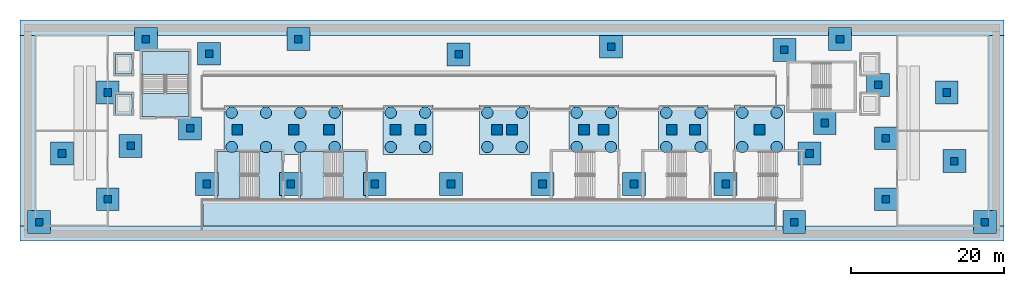
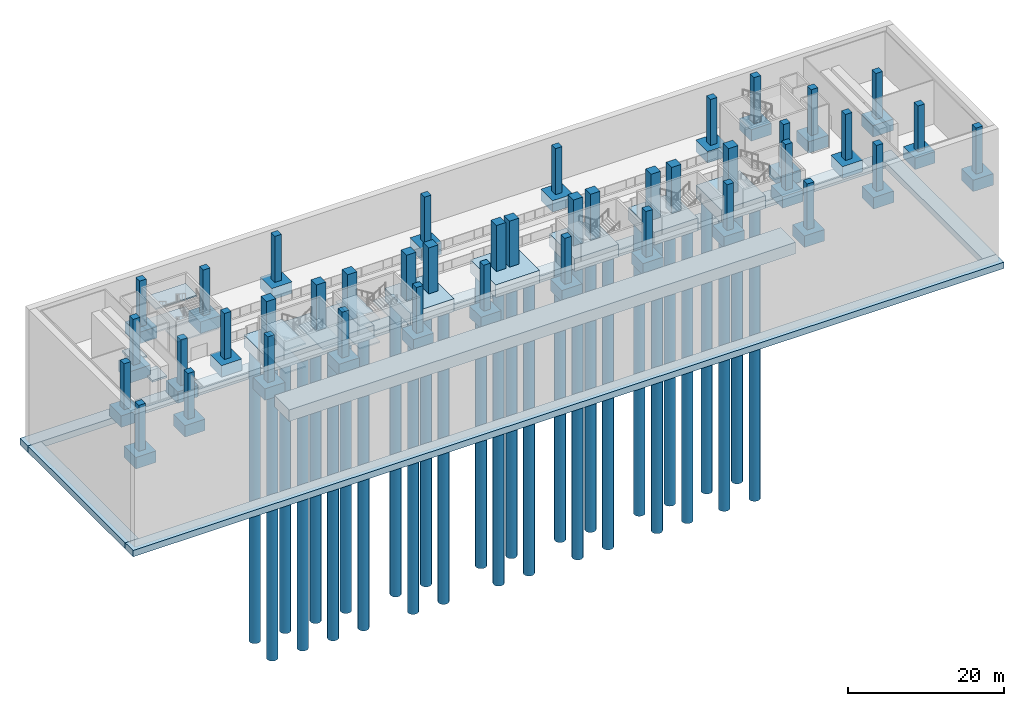
# One storey, part 1 of 15: 41 columns, 39 footings, 28 piles, 12 slabs, 3 elements without a shape of their own.
"""IFC4 building model written with IfcOpenShell, lengths in metres."""

from ifc_helpers import new_model, si_unit, direction, frame, origin, origin_2d, place, context, subcontext, project, spatial, polyline, rectangle, circle, outline, extrude, material, layer, layer_set, material_profile, profile_set, type_object, element, aggregate, save


model = new_model("IFC4")

# Units and contexts
model_context = context("Model", 3, precision=1e-05, world=origin(), true_north=direction((0.0, 1.0)))
body_context = subcontext(model_context, "Body", "Model", "MODEL_VIEW")
ifc_project = project(units=[si_unit("LENGTHUNIT", "METRE"), si_unit("AREAUNIT", "SQUARE_METRE"), si_unit("VOLUMEUNIT", "CUBIC_METRE"), si_unit("PLANEANGLEUNIT", "RADIAN"), si_unit("MASSUNIT", "GRAM", prefix="KILO")], contexts=[model_context])

# Site, building, storey
site_placement = place(None, origin())
site = spatial("IfcSite", under=ifc_project, at=site_placement, CompositionType="ELEMENT")
building_placement = place(site_placement, origin())
building = spatial("IfcBuilding", under=site, at=building_placement, Name="Wharfspan Tower", CompositionType="ELEMENT")
storey_placement = place(building_placement, frame((0.0, 0.0, -14.399902)))
storey = spatial("IfcBuildingStorey", under=building, at=storey_placement, Name="B2", CompositionType="ELEMENT", Elevation=-14.399902)

# Piles
ifc_material_1 = material(Name="Concrete C35/45", Category="concrete")
ifc_material_profile_1 = material_profile(ifc_material_1, circle(Radius=0.75, at=origin_2d()))
ifc_profile_set_1 = profile_set([ifc_material_profile_1], Name="Concrete C35/45")
pile_type = type_object("IfcPileType", Name="Bored pile D1500", PredefinedType="BORED", material=ifc_profile_set_1)
for number, where, z_axis, x_axis, name in (
    (1, (11.25, -24.149902, -1.925049), (0.0, 0.0, -1.0), (1.0, 0.0, 0.0), "Bored pile F02-01"),
    (2, (15.75, -24.149902, -1.925049), (0.0, 0.0, -1.0), (1.0, 0.0, 0.0), "Bored pile F02-02"),
    (3, (20.25, -24.149902, -1.925049), (0.0, 0.0, -1.0), (1.0, 0.0, 0.0), "Bored pile F02-03"),
    (4, (24.75, -24.149902, -1.925049), (0.0, 0.0, -1.0), (1.0, 0.0, 0.0), "Bored pile F02-04"),
    (5, (11.25, -19.649902, -1.925049), (0.0, 0.0, -1.0), (1.0, 0.0, 0.0), "Bored pile F02-05"),
    (6, (15.75, -19.649902, -1.925049), (0.0, 0.0, -1.0), (1.0, 0.0, 0.0), "Bored pile F02-06"),
    (7, (20.25, -19.649902, -1.925049), (0.0, 0.0, -1.0), (1.0, 0.0, 0.0), "Bored pile F02-07"),
    (8, (24.75, -19.649902, -1.925049), (0.0, 0.0, -1.0), (1.0, 0.0, 0.0), "Bored pile F02-08"),
    (9, (32.112061, -24.149902, -1.925049), (0.0, 0.0, -1.0), (1.0, 0.0, 0.0), "Bored pile F03-01"),
    (10, (36.612061, -24.149902, -1.925049), (0.0, 0.0, -1.0), (1.0, 0.0, 0.0), "Bored pile F03-02"),
    (11, (32.112061, -19.649902, -1.925049), (0.0, 0.0, -1.0), (1.0, 0.0, 0.0), "Bored pile F03-03"),
    (12, (36.612061, -19.649902, -1.925049), (0.0, 0.0, -1.0), (1.0, 0.0, 0.0), "Bored pile F03-04"),
    (13, (44.770996, -24.149902, -1.925049), (0.0, 0.0, -1.0), (1.0, 0.0, 0.0), "Bored pile F04-01"),
    (14, (49.270996, -24.149902, -1.925049), (0.0, 0.0, -1.0), (1.0, 0.0, 0.0), "Bored pile F04-02"),
    (15, (44.770996, -19.649902, -1.925049), (0.0, 0.0, -1.0), (1.0, 0.0, 0.0), "Bored pile F04-03"),
    (16, (49.270996, -19.649902, -1.925049), (0.0, 0.0, -1.0), (1.0, 0.0, 0.0), "Bored pile F04-04"),
    (17, (56.470947, -24.149902, -1.925049), (0.0, 0.0, -1.0), (1.0, 0.0, 0.0), "Bored pile F05-01"),
    (18, (60.970947, -24.149902, -1.925049), (0.0, 0.0, -1.0), (1.0, 0.0, 0.0), "Bored pile F05-02"),
    (19, (56.470947, -19.649902, -1.925049), (0.0, 0.0, -1.0), (1.0, 0.0, 0.0), "Bored pile F05-03"),
    (20, (60.970947, -19.649902, -1.925049), (0.0, 0.0, -1.0), (1.0, 0.0, 0.0), "Bored pile F05-04"),
    (21, (68.220947, -24.149902, -1.925049), (0.0, 0.0, -1.0), (1.0, 0.0, 0.0), "Bored pile F06-01"),
    (22, (72.720947, -24.149902, -1.925049), (0.0, 0.0, -1.0), (1.0, 0.0, 0.0), "Bored pile F06-02"),
    (23, (68.220947, -19.649902, -1.925049), (0.0, 0.0, -1.0), (1.0, 0.0, 0.0), "Bored pile F06-03"),
    (24, (72.720947, -19.649902, -1.925049), (0.0, 0.0, -1.0), (1.0, 0.0, 0.0), "Bored pile F06-04"),
    (25, (78.191895, -24.149902, -1.925049), (0.0, 0.0, -1.0), (1.0, 0.0, 0.0), "Bored pile F07-01"),
    (26, (82.691895, -24.149902, -1.925049), (0.0, 0.0, -1.0), (1.0, 0.0, 0.0), "Bored pile F07-02"),
    (27, (78.191895, -19.649902, -1.925049), (0.0, 0.0, -1.0), (1.0, 0.0, 0.0), "Bored pile F07-03"),
    (28, (82.691895, -19.649902, -1.925049), (0.0, 0.0, -1.0), (1.0, 0.0, 0.0), "Bored pile F07-04"),
):
    element("IfcPile", number, at=place(storey_placement, frame(where, z_axis=z_axis, x_axis=x_axis)), inside=storey, type_object=pile_type, Name=name, PredefinedType="BORED", context=body_context, shape_type="SweptSolid", body=[
        extrude(circle(Radius=0.75, at=origin_2d()), origin(), (0.0, 0.0, 1.0), 45.675049),
    ])

# Footings
footing_type_1 = type_object("IfcFootingType", Name="Pad footing 3000 square, 1800 deep", PredefinedType="PAD_FOOTING", material=ifc_material_1)
footing_1_placement = place(storey_placement, frame((0.0, 0.0, -1.800049)))
element("IfcFooting", 29, at=footing_1_placement, inside=storey, type_object=footing_type_1, Name="Pad footing P.B.12", PredefinedType="PAD_FOOTING", context=body_context, shape_type="SweptSolid", body=[
    extrude(outline(polyline([(-15.5, -35.5), (-12.5, -35.5), (-12.5, -32.5), (-15.5, -32.5), (-15.5, -35.5)])), origin(), (0.0, 0.0, 1.0), 1.800049),
])
footing_2_placement = place(storey_placement, frame((0.0, 0.0, -1.800049)))
element("IfcFooting", 30, at=footing_2_placement, inside=storey, type_object=footing_type_1, Name="Pad footing P.B.22", PredefinedType="PAD_FOOTING", context=body_context, shape_type="SweptSolid", body=[
    extrude(outline(polyline([(83.5, -35.5), (86.5, -35.5), (86.5, -32.5), (83.5, -32.5), (83.5, -35.5)])), origin(), (0.0, 0.0, 1.0), 1.800049),
])
footing_3_placement = place(storey_placement, frame((0.0, 0.0, -1.800049)))
element("IfcFooting", 31, at=footing_3_placement, inside=storey, type_object=footing_type_1, Name="Pad footing P.B.19", PredefinedType="PAD_FOOTING", context=body_context, shape_type="SweptSolid", body=[
    extrude(outline(polyline([(108.5, -35.5), (111.5, -35.5), (111.5, -32.5), (108.5, -32.5), (108.5, -35.5)])), origin(), (0.0, 0.0, 1.0), 1.800049),
])
footing_4_placement = place(storey_placement, frame((0.0, 0.0, -1.800049)))
element("IfcFooting", 32, at=footing_4_placement, inside=storey, type_object=footing_type_1, Name="Pad footing P.D.19", PredefinedType="PAD_FOOTING", context=body_context, shape_type="SweptSolid", body=[
    extrude(outline(polyline([(-6.5, -32.5), (-3.5, -32.5), (-3.5, -29.5), (-6.5, -29.5), (-6.5, -32.5)])), origin(), (0.0, 0.0, 1.0), 1.800049),
])
footing_5_placement = place(storey_placement, frame((0.0, 0.0, -1.800049)))
element("IfcFooting", 33, at=footing_5_placement, inside=storey, type_object=footing_type_1, Name="Pad footing P.D.11", PredefinedType="PAD_FOOTING", context=body_context, shape_type="SweptSolid", body=[
    extrude(outline(polyline([(95.5, -32.5), (98.5, -32.5), (98.5, -29.5), (95.5, -29.5), (95.5, -32.5)])), origin(), (0.0, 0.0, 1.0), 1.800049),
])
footing_6_placement = place(storey_placement, frame((0.0, 0.0, -1.800049)))
element("IfcFooting", 34, at=footing_6_placement, inside=storey, type_object=footing_type_1, Name="Pad footing P.D.33", PredefinedType="PAD_FOOTING", context=body_context, shape_type="SweptSolid", body=[
    extrude(outline(polyline([(6.5, -30.5), (9.5, -30.5), (9.5, -27.5), (6.5, -27.5), (6.5, -30.5)])), origin(), (0.0, 0.0, 1.0), 1.800049),
])
footing_7_placement = place(storey_placement, frame((0.0, 0.0, -1.800049)))
element("IfcFooting", 35, at=footing_7_placement, inside=storey, type_object=footing_type_1, Name="Pad footing P.D.32", PredefinedType="PAD_FOOTING", context=body_context, shape_type="SweptSolid", body=[
    extrude(outline(polyline([(17.5, -30.5), (20.5, -30.5), (20.5, -27.5), (17.5, -27.5), (17.5, -30.5)])), origin(), (0.0, 0.0, 1.0), 1.800049),
])
footing_8_placement = place(storey_placement, frame((0.0, 0.0, -1.800049)))
element("IfcFooting", 36, at=footing_8_placement, inside=storey, type_object=footing_type_1, Name="Pad footing P.D.29", PredefinedType="PAD_FOOTING", context=body_context, shape_type="SweptSolid", body=[
    extrude(outline(polyline([(28.5, -30.5), (31.5, -30.5), (31.5, -27.5), (28.5, -27.5), (28.5, -30.5)])), origin(), (0.0, 0.0, 1.0), 1.800049),
])
footing_9_placement = place(storey_placement, frame((0.0, 0.0, -1.800049)))
element("IfcFooting", 37, at=footing_9_placement, inside=storey, type_object=footing_type_1, Name="Pad footing P.D.23", PredefinedType="PAD_FOOTING", context=body_context, shape_type="SweptSolid", body=[
    extrude(outline(polyline([(38.5, -30.5), (41.5, -30.5), (41.5, -27.5), (38.5, -27.5), (38.5, -30.5)])), origin(), (0.0, 0.0, 1.0), 1.800049),
])
footing_10_placement = place(storey_placement, frame((0.0, 0.0, -1.800049)))
element("IfcFooting", 38, at=footing_10_placement, inside=storey, type_object=footing_type_1, Name="Pad footing P.D.26", PredefinedType="PAD_FOOTING", context=body_context, shape_type="SweptSolid", body=[
    extrude(outline(polyline([(50.5, -30.5), (53.5, -30.5), (53.5, -27.5), (50.5, -27.5), (50.5, -30.5)])), origin(), (0.0, 0.0, 1.0), 1.800049),
])
footing_11_placement = place(storey_placement, frame((0.0, 0.0, -1.800049)))
element("IfcFooting", 39, at=footing_11_placement, inside=storey, type_object=footing_type_1, Name="Pad footing P.D.30", PredefinedType="PAD_FOOTING", context=body_context, shape_type="SweptSolid", body=[
    extrude(outline(polyline([(62.5, -30.5), (65.5, -30.5), (65.5, -27.5), (62.5, -27.5), (62.5, -30.5)])), origin(), (0.0, 0.0, 1.0), 1.800049),
])
footing_12_placement = place(storey_placement, frame((0.0, 0.0, -1.800049)))
element("IfcFooting", 40, at=footing_12_placement, inside=storey, type_object=footing_type_1, Name="Pad footing P.D.31", PredefinedType="PAD_FOOTING", context=body_context, shape_type="SweptSolid", body=[
    extrude(outline(polyline([(74.5, -30.5), (77.5, -30.5), (77.5, -27.5), (74.5, -27.5), (74.5, -30.5)])), origin(), (0.0, 0.0, 1.0), 1.800049),
])
footing_13_placement = place(storey_placement, frame((0.0, 0.0, -1.800049)))
element("IfcFooting", 41, at=footing_13_placement, inside=storey, type_object=footing_type_1, Name="Pad footing P.D.2", PredefinedType="PAD_FOOTING", context=body_context, shape_type="SweptSolid", body=[
    extrude(outline(polyline([(104.5, -27.5), (107.5, -27.5), (107.5, -24.5), (104.5, -24.5), (104.5, -27.5)])), origin(), (0.0, 0.0, 1.0), 1.800049),
])
footing_14_placement = place(storey_placement, frame((0.0, 0.0, -1.800049)))
element("IfcFooting", 42, at=footing_14_placement, inside=storey, type_object=footing_type_1, Name="Pad footing P.D.7", PredefinedType="PAD_FOOTING", context=body_context, shape_type="SweptSolid", body=[
    extrude(outline(polyline([(-12.5, -26.5), (-9.5, -26.5), (-9.5, -23.5), (-12.5, -23.5), (-12.5, -26.5)])), origin(), (0.0, 0.0, 1.0), 1.800049),
])
footing_15_placement = place(storey_placement, frame((0.0, 0.0, -1.800049)))
element("IfcFooting", 43, at=footing_15_placement, inside=storey, type_object=footing_type_1, Name="Pad footing P.D.20", PredefinedType="PAD_FOOTING", context=body_context, shape_type="SweptSolid", body=[
    extrude(outline(polyline([(85.5, -26.5), (88.5, -26.5), (88.5, -23.5), (85.5, -23.5), (85.5, -26.5)])), origin(), (0.0, 0.0, 1.0), 1.800049),
])
footing_16_placement = place(storey_placement, frame((0.0, 0.0, -1.800049)))
element("IfcFooting", 44, at=footing_16_placement, inside=storey, type_object=footing_type_1, Name="Pad footing P.D.51", PredefinedType="PAD_FOOTING", context=body_context, shape_type="SweptSolid", body=[
    extrude(outline(polyline([(-3.5, -25.5), (-0.5, -25.5), (-0.5, -22.5), (-3.5, -22.5), (-3.5, -25.5)])), origin(), (0.0, 0.0, 1.0), 1.800049),
])
footing_17_placement = place(storey_placement, frame((0.0, 0.0, -1.800049)))
element("IfcFooting", 45, at=footing_17_placement, inside=storey, type_object=footing_type_1, Name="Pad footing P.D.52", PredefinedType="PAD_FOOTING", context=body_context, shape_type="SweptSolid", body=[
    extrude(outline(polyline([(95.5, -24.5), (98.5, -24.5), (98.5, -21.5), (95.5, -21.5), (95.5, -24.5)])), origin(), (0.0, 0.0, 1.0), 1.800049),
])
footing_18_placement = place(storey_placement, frame((0.0, 0.0, -1.800049)))
element("IfcFooting", 46, at=footing_18_placement, inside=storey, type_object=footing_type_1, Name="Pad footing P.G.S1", PredefinedType="PAD_FOOTING", context=body_context, shape_type="SweptSolid", body=[
    extrude(outline(polyline([(4.300049, -23.199951), (7.300049, -23.199951), (7.300049, -20.199951), (4.300049, -20.199951), (4.300049, -23.199951)])), origin(), (0.0, 0.0, 1.0), 1.800049),
])
footing_19_placement = place(storey_placement, frame((0.0, 0.0, -1.800049)))
element("IfcFooting", 47, at=footing_19_placement, inside=storey, type_object=footing_type_1, Name="Pad footing P.D.54", PredefinedType="PAD_FOOTING", context=body_context, shape_type="SweptSolid", body=[
    extrude(outline(polyline([(87.5, -22.5), (90.5, -22.5), (90.5, -19.5), (87.5, -19.5), (87.5, -22.5)])), origin(), (0.0, 0.0, 1.0), 1.800049),
])
footing_20_placement = place(storey_placement, frame((0.0, 0.0, -1.800049)))
element("IfcFooting", 48, at=footing_20_placement, inside=storey, type_object=footing_type_1, Name="Pad footing P.D.21", PredefinedType="PAD_FOOTING", context=body_context, shape_type="SweptSolid", body=[
    extrude(outline(polyline([(-6.5, -18.5), (-3.5, -18.5), (-3.5, -15.5), (-6.5, -15.5), (-6.5, -18.5)])), origin(), (0.0, 0.0, 1.0), 1.800049),
])
footing_21_placement = place(storey_placement, frame((0.0, 0.0, -1.800049)))
element("IfcFooting", 49, at=footing_21_placement, inside=storey, type_object=footing_type_1, Name="Pad footing P.D.34", PredefinedType="PAD_FOOTING", context=body_context, shape_type="SweptSolid", body=[
    extrude(outline(polyline([(103.5, -18.5), (106.5, -18.5), (106.5, -15.5), (103.5, -15.5), (103.5, -18.5)])), origin(), (0.0, 0.0, 1.0), 1.800049),
])
footing_22_placement = place(storey_placement, frame((0.0, 0.0, -1.800049)))
element("IfcFooting", 50, at=footing_22_placement, inside=storey, type_object=footing_type_1, Name="Pad footing P.D.13", PredefinedType="PAD_FOOTING", context=body_context, shape_type="SweptSolid", body=[
    extrude(outline(polyline([(94.5, -17.5), (97.5, -17.5), (97.5, -14.5), (94.5, -14.5), (94.5, -17.5)])), origin(), (0.0, 0.0, 1.0), 1.800049),
])
footing_23_placement = place(storey_placement, frame((0.0, 0.0, -1.800049)))
element("IfcFooting", 51, at=footing_23_placement, inside=storey, type_object=footing_type_1, Name="Pad footing P.B.13", PredefinedType="PAD_FOOTING", context=body_context, shape_type="SweptSolid", body=[
    extrude(outline(polyline([(39.5, -13.5), (42.5, -13.5), (42.5, -10.5), (39.5, -10.5), (39.5, -13.5)])), origin(), (0.0, 0.0, 1.0), 1.800049),
])
footing_24_placement = place(storey_placement, frame((0.0, 0.0, -1.800049)))
element("IfcFooting", 52, at=footing_24_placement, inside=storey, type_object=footing_type_1, Name="Pad footing P.G.W3", PredefinedType="PAD_FOOTING", context=body_context, shape_type="SweptSolid", body=[
    extrude(outline(polyline([(6.800049, -13.419922), (9.800049, -13.419922), (9.800049, -10.419922), (6.800049, -10.419922), (6.800049, -13.419922)])), origin(), (0.0, 0.0, 1.0), 1.800049),
])
footing_25_placement = place(storey_placement, frame((0.0, 0.0, -1.800049)))
element("IfcFooting", 53, at=footing_25_placement, inside=storey, type_object=footing_type_1, Name="Pad footing P.G.E6", PredefinedType="PAD_FOOTING", context=body_context, shape_type="SweptSolid", body=[
    extrude(outline(polyline([(82.199951, -12.919922), (85.199951, -12.919922), (85.199951, -9.919922), (82.199951, -9.919922), (82.199951, -12.919922)])), origin(), (0.0, 0.0, 1.0), 1.800049),
])
footing_26_placement = place(storey_placement, frame((0.0, 0.0, -1.800049)))
element("IfcFooting", 54, at=footing_26_placement, inside=storey, type_object=footing_type_1, Name="Pad footing P.B.21", PredefinedType="PAD_FOOTING", context=body_context, shape_type="SweptSolid", body=[
    extrude(outline(polyline([(59.5, -12.5), (62.5, -12.5), (62.5, -9.5), (59.5, -9.5), (59.5, -12.5)])), origin(), (0.0, 0.0, 1.0), 1.800049),
])
footing_27_placement = place(storey_placement, frame((0.0, 0.0, -1.800049)))
element("IfcFooting", 55, at=footing_27_placement, inside=storey, type_object=footing_type_1, Name="Pad footing P.D.39", PredefinedType="PAD_FOOTING", context=body_context, shape_type="SweptSolid", body=[
    extrude(outline(polyline([(-1.5, -11.5), (1.5, -11.5), (1.5, -8.5), (-1.5, -8.5), (-1.5, -11.5)])), origin(), (0.0, 0.0, 1.0), 1.800049),
])
footing_28_placement = place(storey_placement, frame((0.0, 0.0, -1.800049)))
element("IfcFooting", 56, at=footing_28_placement, inside=storey, type_object=footing_type_1, Name="Pad footing P.B.10", PredefinedType="PAD_FOOTING", context=body_context, shape_type="SweptSolid", body=[
    extrude(outline(polyline([(18.5, -11.5), (21.5, -11.5), (21.5, -8.5), (18.5, -8.5), (18.5, -11.5)])), origin(), (0.0, 0.0, 1.0), 1.800049),
])
footing_29_placement = place(storey_placement, frame((0.0, 0.0, -1.800049)))
element("IfcFooting", 57, at=footing_29_placement, inside=storey, type_object=footing_type_1, Name="Pad footing P.D.58", PredefinedType="PAD_FOOTING", context=body_context, shape_type="SweptSolid", body=[
    extrude(outline(polyline([(89.5, -11.5), (92.5, -11.5), (92.5, -8.5), (89.5, -8.5), (89.5, -11.5)])), origin(), (0.0, 0.0, 1.0), 1.800049),
])
ifc_material_2 = material(Name="Concrete C40/50", Category="concrete")
footing_type_2 = type_object("IfcFootingType", Name="Pile cap 2 x 2 piles, 2000 deep", PredefinedType="PILE_CAP", material=ifc_material_2)
footing_30_placement = place(storey_placement, frame((0.0, 0.0, -2.0)))
element("IfcFooting", 58, at=footing_30_placement, inside=storey, type_object=footing_type_2, Name="Pile cap F03", PredefinedType="PILE_CAP", context=body_context, shape_type="SweptSolid", body=[
    extrude(outline(polyline([(31.112061, -25.149902), (37.612061, -25.149902), (37.612061, -18.649902), (31.112061, -18.649902), (31.112061, -25.149902)])), origin(), (0.0, 0.0, 1.0), 2.0),
])
footing_31_placement = place(storey_placement, frame((0.0, 0.0, -2.0)))
element("IfcFooting", 59, at=footing_31_placement, inside=storey, type_object=footing_type_2, Name="Pile cap F04", PredefinedType="PILE_CAP", context=body_context, shape_type="SweptSolid", body=[
    extrude(outline(polyline([(43.770996, -25.149902), (50.270996, -25.149902), (50.270996, -18.649902), (43.770996, -18.649902), (43.770996, -25.149902)])), origin(), (0.0, 0.0, 1.0), 2.0),
])
footing_32_placement = place(storey_placement, frame((0.0, 0.0, -2.0)))
element("IfcFooting", 60, at=footing_32_placement, inside=storey, type_object=footing_type_2, Name="Pile cap F05", PredefinedType="PILE_CAP", context=body_context, shape_type="SweptSolid", body=[
    extrude(outline(polyline([(55.470947, -25.149902), (61.970947, -25.149902), (61.970947, -18.649902), (55.470947, -18.649902), (55.470947, -25.149902)])), origin(), (0.0, 0.0, 1.0), 2.0),
])
footing_33_placement = place(storey_placement, frame((0.0, 0.0, -2.0)))
element("IfcFooting", 61, at=footing_33_placement, inside=storey, type_object=footing_type_2, Name="Pile cap F06", PredefinedType="PILE_CAP", context=body_context, shape_type="SweptSolid", body=[
    extrude(outline(polyline([(67.220947, -25.149902), (73.720947, -25.149902), (73.720947, -18.649902), (67.220947, -18.649902), (67.220947, -25.149902)])), origin(), (0.0, 0.0, 1.0), 2.0),
])
footing_34_placement = place(storey_placement, frame((0.0, 0.0, -2.0)))
element("IfcFooting", 62, at=footing_34_placement, inside=storey, type_object=footing_type_2, Name="Pile cap F07", PredefinedType="PILE_CAP", context=body_context, shape_type="SweptSolid", body=[
    extrude(outline(polyline([(77.191895, -25.149902), (83.691895, -25.149902), (83.691895, -18.649902), (77.191895, -18.649902), (77.191895, -25.149902)])), origin(), (0.0, 0.0, 1.0), 2.0),
])
footing_type_3 = type_object("IfcFootingType", Name="Pile cap 4 x 2 piles, 2000 deep", PredefinedType="PILE_CAP", material=ifc_material_2)
footing_35_placement = place(storey_placement, frame((0.0, 0.0, -2.0)))
element("IfcFooting", 63, at=footing_35_placement, inside=storey, type_object=footing_type_3, Name="Pile cap F02", PredefinedType="PILE_CAP", context=body_context, shape_type="SweptSolid", body=[
    extrude(outline(polyline([(10.25, -25.149902), (25.75, -25.149902), (25.75, -18.649902), (10.25, -18.649902), (10.25, -25.149902)])), origin(), (0.0, 0.0, 1.0), 2.0),
])
footing_type_4 = type_object("IfcFootingType", Name="Wall toe strip footing 2000 wide, 1000 deep", PredefinedType="STRIP_FOOTING", material=ifc_material_1)
footing_36_placement = place(storey_placement, frame((0.0, 0.0, -14.600098)))
element("IfcFooting", 64, at=footing_36_placement, inside=storey, type_object=footing_type_4, Name="Diaphragm wall toe footing WF1", PredefinedType="STRIP_FOOTING", context=body_context, shape_type="SweptSolid", body=[
    extrude(outline(polyline([(-16.5, -36.5), (112.5, -36.5), (112.5, -34.5), (-16.5, -34.5), (-16.5, -36.5)])), origin(), (0.0, 0.0, 1.0), 1.0),
])
footing_37_placement = place(storey_placement, frame((0.0, 0.0, -14.600098)))
element("IfcFooting", 65, at=footing_37_placement, inside=storey, type_object=footing_type_4, Name="Diaphragm wall toe footing WF2", PredefinedType="STRIP_FOOTING", context=body_context, shape_type="SweptSolid", body=[
    extrude(outline(polyline([(-16.5, -34.5), (-14.5, -34.5), (-14.5, -9.5), (-16.5, -9.5), (-16.5, -34.5)])), origin(), (0.0, 0.0, 1.0), 1.0),
])
footing_38_placement = place(storey_placement, frame((0.0, 0.0, -14.600098)))
element("IfcFooting", 66, at=footing_38_placement, inside=storey, type_object=footing_type_4, Name="Diaphragm wall toe footing WF3", PredefinedType="STRIP_FOOTING", context=body_context, shape_type="SweptSolid", body=[
    extrude(outline(polyline([(110.5, -34.5), (112.5, -34.5), (112.5, -9.5), (110.5, -9.5), (110.5, -34.5)])), origin(), (0.0, 0.0, 1.0), 1.0),
])
footing_39_placement = place(storey_placement, frame((0.0, 0.0, -14.600098)))
element("IfcFooting", 67, at=footing_39_placement, inside=storey, type_object=footing_type_4, Name="Diaphragm wall toe footing WF4", PredefinedType="STRIP_FOOTING", context=body_context, shape_type="SweptSolid", body=[
    extrude(outline(polyline([(-16.5, -9.5), (112.5, -9.5), (112.5, -7.5), (-16.5, -7.5), (-16.5, -9.5)])), origin(), (0.0, 0.0, 1.0), 1.0),
])

# Columns
ifc_material_3 = material(Name="Concrete C60/75", Category="concrete")
ifc_material_profile_2 = material_profile(ifc_material_3, rectangle(XDim=1.0, YDim=1.0, at=origin_2d()))
ifc_profile_set_2 = profile_set([ifc_material_profile_2], Name="Concrete C60/75")
column_type_1 = type_object("IfcColumnType", Name="Concrete column 1000 square", PredefinedType="COLUMN", material=ifc_profile_set_2)
for number, where, z_axis, x_axis, name in (
    (68, (5.800049, -21.699951, 0.0), (0.0, 0.0, 1.0), (1.0, 0.0, 0.0), "Column G.S1"),
    (69, (8.300049, -11.919922, 0.0), (0.0, 0.0, 1.0), (1.0, 0.0, 0.0), "Column G.W3"),
    (70, (83.699951, -11.419922, 0.0), (0.0, 0.0, 1.0), (1.0, 0.0, 0.0), "Column G.E6"),
    (71, (106.0, -26.0, 0.0), (0.0, 0.0, 1.0), (1.0, 0.0, 0.0), "Column D.2"),
    (72, (-11.0, -25.0, 0.0), (0.0, 0.0, 1.0), (1.0, 0.0, 0.0), "Column D.7"),
    (73, (97.0, -31.0, 0.0), (0.0, 0.0, 1.0), (1.0, 0.0, 0.0), "Column D.11"),
    (74, (96.0, -16.0, 0.0), (0.0, 0.0, 1.0), (1.0, 0.0, 0.0), "Column D.13"),
    (75, (-5.0, -31.0, 0.0), (0.0, 0.0, 1.0), (1.0, 0.0, 0.0), "Column D.19"),
    (76, (87.0, -25.0, 0.0), (0.0, 0.0, 1.0), (1.0, 0.0, 0.0), "Column D.20"),
    (77, (-5.0, -17.0, 0.0), (0.0, 0.0, 1.0), (1.0, 0.0, 0.0), "Column D.21"),
    (78, (40.0, -29.0, 0.0), (0.0, 0.0, 1.0), (1.0, 0.0, 0.0), "Column D.23"),
    (79, (52.0, -29.0, 0.0), (0.0, 0.0, 1.0), (1.0, 0.0, 0.0), "Column D.26"),
    (80, (30.0, -29.0, 0.0), (0.0, 0.0, 1.0), (1.0, 0.0, 0.0), "Column D.29"),
    (81, (64.0, -29.0, 0.0), (0.0, 0.0, 1.0), (1.0, 0.0, 0.0), "Column D.30"),
    (82, (76.0, -29.0, 0.0), (0.0, 0.0, 1.0), (1.0, 0.0, 0.0), "Column D.31"),
    (83, (19.0, -29.0, 0.0), (0.0, 0.0, 1.0), (1.0, 0.0, 0.0), "Column D.32"),
    (84, (8.0, -29.0, 0.0), (0.0, 0.0, 1.0), (1.0, 0.0, 0.0), "Column D.33"),
    (85, (105.0, -17.0, 0.0), (0.0, 0.0, 1.0), (1.0, 0.0, 0.0), "Column D.34"),
    (86, (0.0, -10.0, 0.0), (0.0, 0.0, 1.0), (1.0, 0.0, 0.0), "Column D.39"),
    (87, (-2.0, -24.0, 0.0), (0.0, 0.0, 1.0), (1.0, 0.0, 0.0), "Column D.51"),
    (88, (97.0, -23.0, 0.0), (0.0, 0.0, 1.0), (1.0, 0.0, 0.0), "Column D.52"),
    (89, (89.0, -21.0, 0.0), (0.0, 0.0, 1.0), (1.0, 0.0, 0.0), "Column D.54"),
    (90, (91.0, -10.0, 0.0), (0.0, 0.0, 1.0), (1.0, 0.0, 0.0), "Column D.58"),
    (91, (20.0, -10.0, 0.0), (0.0, 0.0, 1.0), (1.0, 0.0, 0.0), "Column B.10"),
    (92, (-14.0, -34.0, 0.0), (0.0, 0.0, 1.0), (1.0, 0.0, 0.0), "Column B.12"),
    (93, (41.0, -12.0, 0.0), (0.0, 0.0, 1.0), (1.0, 0.0, 0.0), "Column B.13"),
    (94, (110.0, -34.0, 0.0), (0.0, 0.0, 1.0), (1.0, 0.0, 0.0), "Column B.19"),
    (95, (61.0, -11.0, 0.0), (0.0, 0.0, 1.0), (1.0, 0.0, 0.0), "Column B.21"),
    (96, (85.0, -34.0, 0.0), (0.0, 0.0, 1.0), (1.0, 0.0, 0.0), "Column B.22"),
):
    element("IfcColumn", number, at=place(storey_placement, frame(where, z_axis=z_axis, x_axis=x_axis)), inside=storey, type_object=column_type_1, Name=name, PredefinedType="COLUMN", context=body_context, shape_type="SweptSolid", body=[
        extrude(rectangle(XDim=1.0, YDim=1.0, at=origin_2d()), origin(), (0.0, 0.0, 1.0), 7.199951),
    ])
ifc_material_profile_3 = material_profile(ifc_material_3, rectangle(XDim=1.399902, YDim=1.399902, at=origin_2d()))
ifc_profile_set_3 = profile_set([ifc_material_profile_3], Name="Concrete C60/75")
column_type_2 = type_object("IfcColumnType", Name="Concrete column 1400 square", PredefinedType="COLUMN", material=ifc_profile_set_3)
for number, where, z_axis, x_axis, name in (
    (97, (12.0, -21.899902, 0.0), (0.0, 0.0, 1.0), (1.0, 0.0, 0.0), "Column RS.1"),
    (98, (19.391113, -21.899902, 0.0), (0.0, 0.0, 1.0), (1.0, 0.0, 0.0), "Column RS.2"),
    (99, (24.0, -21.899902, 0.0), (0.0, 0.0, 1.0), (1.0, 0.0, 0.0), "Column RS.3"),
    (100, (32.724121, -21.899902, 0.0), (0.0, 0.0, 1.0), (1.0, 0.0, 0.0), "Column RS.4"),
    (101, (36.0, -21.899902, 0.0), (0.0, 0.0, 1.0), (1.0, 0.0, 0.0), "Column RS.5"),
    (102, (46.041992, -21.899902, 0.0), (0.0, 0.0, 1.0), (1.0, 0.0, 0.0), "Column RS.6"),
    (103, (48.0, -21.899902, 0.0), (0.0, 0.0, 1.0), (1.0, 0.0, 0.0), "Column RS.7"),
    (104, (57.441895, -21.899902, 0.0), (0.0, 0.0, 1.0), (1.0, 0.0, 0.0), "Column RS.8"),
    (105, (60.0, -21.899902, 0.0), (0.0, 0.0, 1.0), (1.0, 0.0, 0.0), "Column RS.9"),
    (106, (68.941895, -21.899902, 0.0), (0.0, 0.0, 1.0), (1.0, 0.0, 0.0), "Column RS.10"),
    (107, (72.0, -21.899902, 0.0), (0.0, 0.0, 1.0), (1.0, 0.0, 0.0), "Column RS.11"),
    (108, (80.441895, -21.899902, 0.0), (0.0, 0.0, 1.0), (1.0, 0.0, 0.0), "Column RS.12"),
):
    element("IfcColumn", number, at=place(storey_placement, frame(where, z_axis=z_axis, x_axis=x_axis)), inside=storey, type_object=column_type_2, Name=name, PredefinedType="COLUMN", context=body_context, shape_type="SweptSolid", body=[
        extrude(rectangle(XDim=1.399902, YDim=1.399902, at=origin_2d()), origin(), (0.0, 0.0, 1.0), 7.199951),
    ])

# Slabs
ifc_layer_1 = layer(ifc_material_1, 0.300049)
ifc_layer_set_1 = layer_set([ifc_layer_1], Name="Concrete C35/45")
slab_type_1 = type_object("IfcSlabType", Name="Lift pit slab 300", PredefinedType="BASESLAB", material=ifc_layer_set_1)
slab_1_placement = place(storey_placement, frame((0.0, 0.0, -1.800049)))
element("IfcSlab", 109, at=slab_1_placement, inside=storey, type_object=slab_type_1, Name="Lift pit slab LP1", PredefinedType="BASESLAB", context=body_context, shape_type="SweptSolid", body=[
    extrude(outline(polyline([(-1.800049, -19.800049), (-1.800049, -17.199951), (-4.0, -17.199951), (-4.0, -19.800049), (-1.800049, -19.800049)])), origin(), (0.0, 0.0, 1.0), 0.300049),
])
slab_2_placement = place(storey_placement, frame((0.0, 0.0, -1.800049)))
element("IfcSlab", 110, at=slab_2_placement, inside=storey, type_object=slab_type_1, Name="Lift pit slab LP3", PredefinedType="BASESLAB", context=body_context, shape_type="SweptSolid", body=[
    extrude(outline(polyline([(-1.800049, -14.600098), (-1.800049, -12.0), (-4.0, -12.0), (-4.0, -14.600098), (-1.800049, -14.600098)])), origin(), (0.0, 0.0, 1.0), 0.300049),
])

# Stair, slabs
stair_type = type_object("IfcStairType", Name="Half-turn stair 3000 wide 40 risers 180 mm", PredefinedType="HALF_TURN_STAIR", material=ifc_material_2)
stair_1_placement = place(storey_placement, origin())
stair_1 = element("IfcStair", 111, at=stair_1_placement, inside=storey, type_object=stair_type, Name="B2 stair SB1", PredefinedType="HALF_TURN_STAIR")
ifc_layer_2 = layer(ifc_material_2, 0.199951)
ifc_layer_set_2 = layer_set([ifc_layer_2], Name="Concrete C40/50")
slab_type_2 = type_object("IfcSlabType", Name="Podium stair landing 200", PredefinedType="LANDING", material=ifc_layer_set_2)
slab_3_placement = place(storey_placement, frame((0.0, 0.0, 1.599609)))
slab_3 = element("IfcSlab", 112, at=slab_3_placement, type_object=slab_type_2, Name="SB1 landing 1", PredefinedType="LANDING", context=body_context, shape_type="SweptSolid", body=[
    extrude(outline(polyline([(12.330078, -24.75), (9.300049, -24.75), (9.300049, -30.899902), (12.330078, -30.899902), (12.330078, -24.75)])), origin(), (0.0, 0.0, 1.0), 0.200195),
])
slab_4_placement = place(storey_placement, frame((0.0, 0.0, 3.399658)))
slab_4 = element("IfcSlab", 113, at=slab_4_placement, type_object=slab_type_2, Name="SB1 landing 2", PredefinedType="LANDING", context=body_context, shape_type="SweptSolid", body=[
    extrude(outline(polyline([(17.850098, -24.75), (14.850098, -24.75), (14.850098, -30.899902), (17.850098, -30.899902), (17.850098, -24.75)])), origin(), (0.0, 0.0, 1.0), 0.200195),
])
slab_5_placement = place(storey_placement, frame((0.0, 0.0, 5.199707)))
slab_5 = element("IfcSlab", 114, at=slab_5_placement, type_object=slab_type_2, Name="SB1 landing 3", PredefinedType="LANDING", context=body_context, shape_type="SweptSolid", body=[
    extrude(outline(polyline([(12.330078, -24.75), (9.300049, -24.75), (9.300049, -30.899902), (12.330078, -30.899902), (12.330078, -24.75)])), origin(), (0.0, 0.0, 1.0), 0.200195),
])
aggregate(stair_1, [slab_3, slab_4, slab_5])

stair_2_placement = place(storey_placement, origin())
stair_2 = element("IfcStair", 115, at=stair_2_placement, inside=storey, type_object=stair_type, Name="B2 stair SB2", PredefinedType="HALF_TURN_STAIR")
slab_6_placement = place(storey_placement, frame((0.0, 0.0, 1.599609)))
slab_6 = element("IfcSlab", 116, at=slab_6_placement, type_object=slab_type_2, Name="SB2 landing 1", PredefinedType="LANDING", context=body_context, shape_type="SweptSolid", body=[
    extrude(outline(polyline([(23.330078, -24.75), (20.300049, -24.75), (20.300049, -30.899902), (23.330078, -30.899902), (23.330078, -24.75)])), origin(), (0.0, 0.0, 1.0), 0.200195),
])
slab_7_placement = place(storey_placement, frame((0.0, 0.0, 3.399658)))
slab_7 = element("IfcSlab", 117, at=slab_7_placement, type_object=slab_type_2, Name="SB2 landing 2", PredefinedType="LANDING", context=body_context, shape_type="SweptSolid", body=[
    extrude(outline(polyline([(28.850098, -24.75), (25.850098, -24.75), (25.850098, -30.899902), (28.850098, -30.899902), (28.850098, -24.75)])), origin(), (0.0, 0.0, 1.0), 0.200195),
])
slab_8_placement = place(storey_placement, frame((0.0, 0.0, 5.199707)))
slab_8 = element("IfcSlab", 118, at=slab_8_placement, type_object=slab_type_2, Name="SB2 landing 3", PredefinedType="LANDING", context=body_context, shape_type="SweptSolid", body=[
    extrude(outline(polyline([(23.330078, -24.75), (20.300049, -24.75), (20.300049, -30.899902), (23.330078, -30.899902), (23.330078, -24.75)])), origin(), (0.0, 0.0, 1.0), 0.200195),
])
aggregate(stair_2, [slab_6, slab_7, slab_8])

stair_3_placement = place(storey_placement, origin())
stair_3 = element("IfcStair", 119, at=stair_3_placement, inside=storey, type_object=stair_type, Name="B2 stair SB6", PredefinedType="HALF_TURN_STAIR")
slab_9_placement = place(storey_placement, frame((0.0, 0.0, 1.599609)))
slab_9 = element("IfcSlab", 120, at=slab_9_placement, type_object=slab_type_2, Name="SB6 landing 1", PredefinedType="LANDING", context=body_context, shape_type="SweptSolid", body=[
    extrude(outline(polyline([(5.649902, -14.629883), (5.649902, -11.600098), (-0.5, -11.600098), (-0.5, -14.629883), (5.649902, -14.629883)])), origin(), (0.0, 0.0, 1.0), 0.200195),
])
slab_10_placement = place(storey_placement, frame((0.0, 0.0, 3.399658)))
slab_10 = element("IfcSlab", 121, at=slab_10_placement, type_object=slab_type_2, Name="SB6 landing 2", PredefinedType="LANDING", context=body_context, shape_type="SweptSolid", body=[
    extrude(outline(polyline([(5.649902, -20.149902), (5.649902, -17.149902), (-0.5, -17.149902), (-0.5, -20.149902), (5.649902, -20.149902)])), origin(), (0.0, 0.0, 1.0), 0.200195),
])
slab_11_placement = place(storey_placement, frame((0.0, 0.0, 5.199707)))
slab_11 = element("IfcSlab", 122, at=slab_11_placement, type_object=slab_type_2, Name="SB6 landing 3", PredefinedType="LANDING", context=body_context, shape_type="SweptSolid", body=[
    extrude(outline(polyline([(5.649902, -14.629883), (5.649902, -11.600098), (-0.5, -11.600098), (-0.5, -14.629883), (5.649902, -14.629883)])), origin(), (0.0, 0.0, 1.0), 0.200195),
])
aggregate(stair_3, [slab_9, slab_10, slab_11])

# Slab
ifc_layer_3 = layer(ifc_material_1, 1.800049)
ifc_layer_set_3 = layer_set([ifc_layer_3], Name="Concrete C35/45")
slab_type_3 = type_object("IfcSlabType", Name="Track trough slab 1800", PredefinedType="BASESLAB", material=ifc_layer_set_3)
slab_12_placement = place(storey_placement, frame((0.0, 0.0, -2.700195)))
element("IfcSlab", 123, at=slab_12_placement, inside=storey, type_object=slab_type_3, Name="Track slab", PredefinedType="BASESLAB", context=body_context, shape_type="SweptSolid", body=[
    extrude(outline(polyline([(7.5, -35.0), (7.5, -31.199951), (82.5, -31.199951), (82.5, -35.0), (7.5, -35.0)])), origin(), (0.0, 0.0, 1.0), 1.800049),
])

save(model, "model.ifc")
